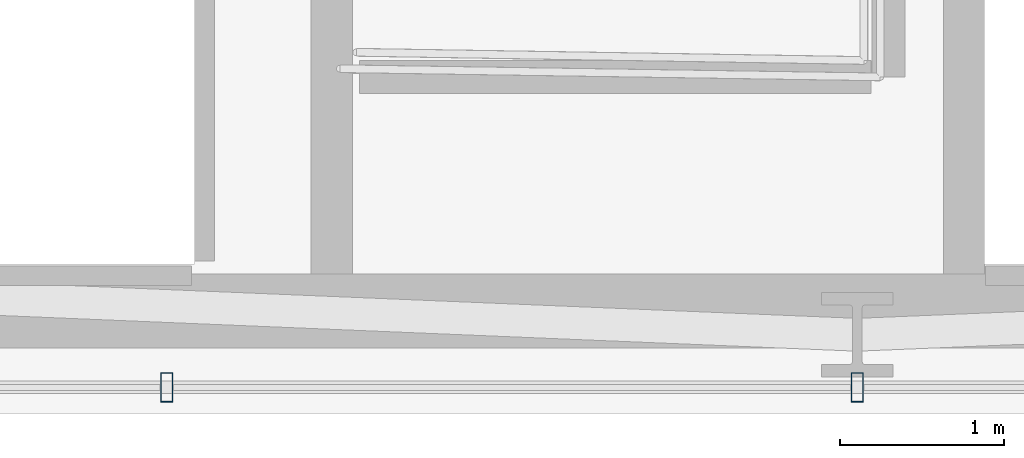
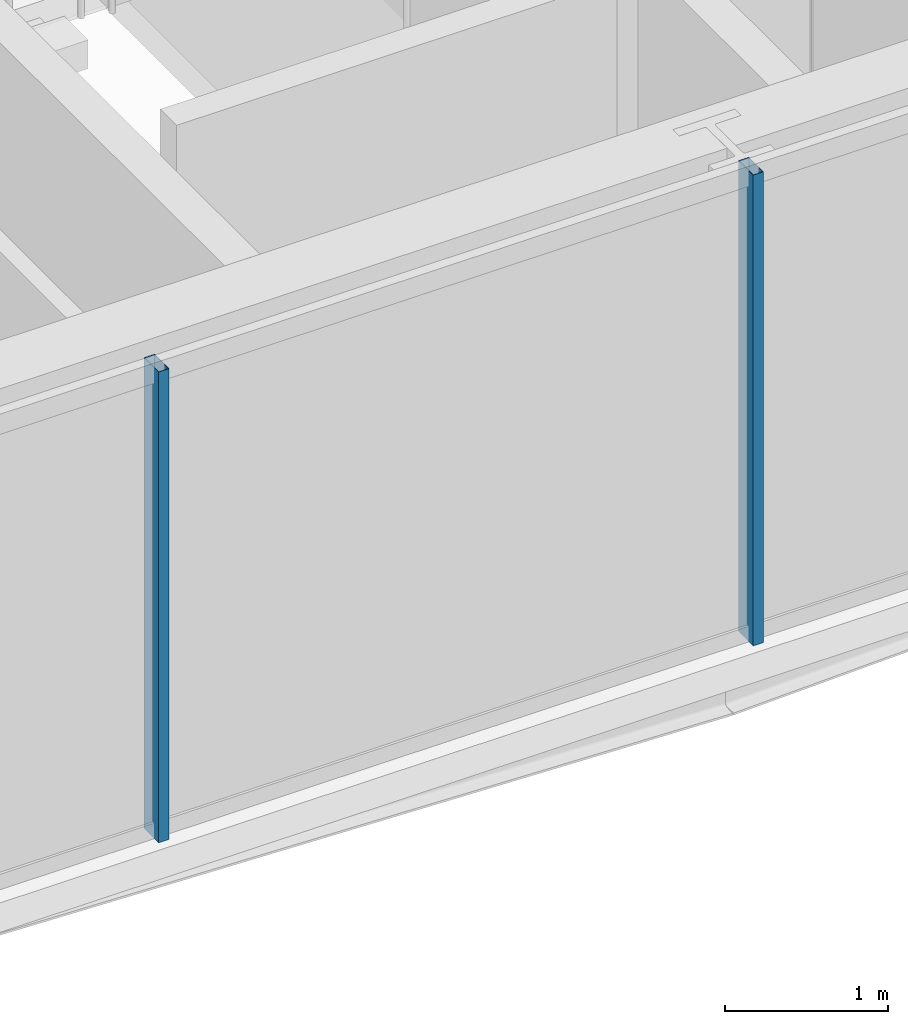
# One storey, part 7 of 31: 2 members, 1 element without a shape of its own.
"""IFC4 building model written with IfcOpenShell, lengths in metres."""

from ifc_helpers import new_model, si_unit, direction, frame, origin, origin_2d, place, context, subcontext, project, spatial, hollow_rectangle, extrude, material, layer, layer_set, material_profile, profile_set, type_object, element, aggregate, save


model = new_model("IFC4")

# Units and contexts
model_context = context("Model", 3, precision=1e-05, world=origin(), true_north=direction((0.0, 1.0)))
body_context = subcontext(model_context, "Body", "Model", "MODEL_VIEW")
ifc_project = project(units=[si_unit("LENGTHUNIT", "METRE"), si_unit("AREAUNIT", "SQUARE_METRE"), si_unit("VOLUMEUNIT", "CUBIC_METRE"), si_unit("PLANEANGLEUNIT", "RADIAN"), si_unit("MASSUNIT", "GRAM", prefix="KILO")], contexts=[model_context])

# Site, building, storey
site_placement = place(None, origin())
site = spatial("IfcSite", under=ifc_project, at=site_placement, CompositionType="ELEMENT")
building_placement = place(site_placement, origin())
building = spatial("IfcBuilding", under=site, at=building_placement, Name="Ndaravel Arena Tower", CompositionType="ELEMENT")
storey_placement = place(building_placement, frame((0.0, 0.0, 108.199951171875)))
storey = spatial("IfcBuildingStorey", under=building, at=storey_placement, Name="L25", CompositionType="ELEMENT", Elevation=108.199951171875)

# Curtain wall, members
ifc_material_1 = material(Name="Aluminium", Category="aluminium")
ifc_layer = layer(ifc_material_1, 0.179931640625)
ifc_layer_set = layer_set([ifc_layer], Name="Aluminium")
curtain_wall_type = type_object("IfcCurtainWallType", Name="CW-SYS-03", PredefinedType="NOTDEFINED", material=ifc_layer_set)
curtain_wall_placement = place(storey_placement, origin())
curtain_wall = element("IfcCurtainWall", 1, at=curtain_wall_placement, inside=storey, type_object=curtain_wall_type, Name="L25 Faceted Crystal Curtain Wall CW-L25-E01", PredefinedType="NOTDEFINED")
ifc_material_2 = material(Name="Aluminium", Category="aluminium")
ifc_material_profile = material_profile(ifc_material_2, hollow_rectangle(XDim=0.074951171875, YDim=0.179931640625, WallThickness=0.00390625, at=origin_2d()), Name="CW MULLION 75x180x4")
ifc_profile_set = profile_set([ifc_material_profile], Name="Aluminium")
member_type = type_object("IfcMemberType", Name="MEM-CW-MUL180", PredefinedType="MULLION", material=ifc_profile_set)
member_1_placement = place(storey_placement, frame((37.79541015625, 5.159912109375, 0.0), z_axis=(0.0, 0.0, 1.0), x_axis=(1.0, 0.0, 0.0)))
member_1 = element("IfcMember", 2, at=member_1_placement, type_object=member_type, Name="CW-L25-E01 Mullion 03", PredefinedType="MULLION", context=body_context, shape_type="SweptSolid", body=[
    extrude(hollow_rectangle(XDim=0.074951171875, YDim=0.179931640625, WallThickness=0.00390625, at=origin_2d()), origin(), (0.0, 0.0, 1.0), 3.52001953125),
])
member_2_placement = place(storey_placement, frame((42.0, 5.159912109375, 0.0), z_axis=(0.0, 0.0, 1.0), x_axis=(1.0, 0.0, 0.0)))
member_2 = element("IfcMember", 3, at=member_2_placement, type_object=member_type, Name="CW-L25-E01 Mullion 04", PredefinedType="MULLION", context=body_context, shape_type="SweptSolid", body=[
    extrude(hollow_rectangle(XDim=0.074951171875, YDim=0.179931640625, WallThickness=0.00390625, at=origin_2d()), origin(), (0.0, 0.0, 1.0), 3.52001953125),
])
aggregate(curtain_wall, [member_1, member_2])

save(model, "model.ifc")
